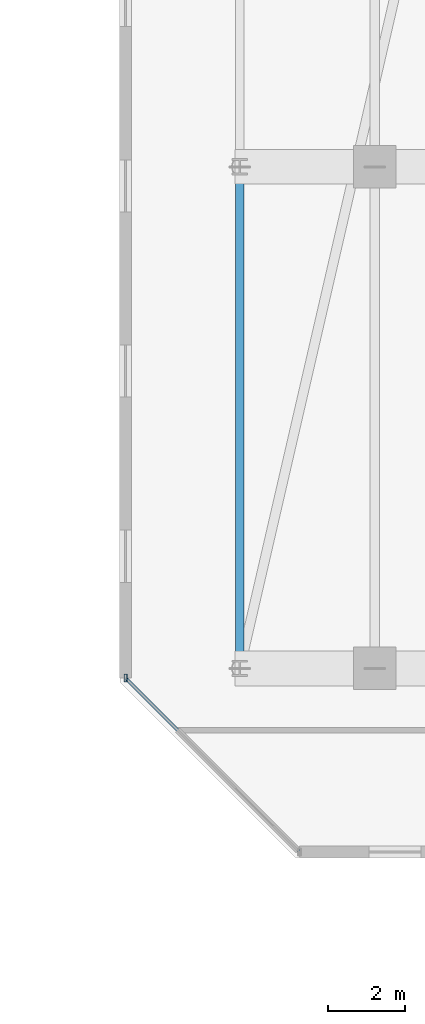
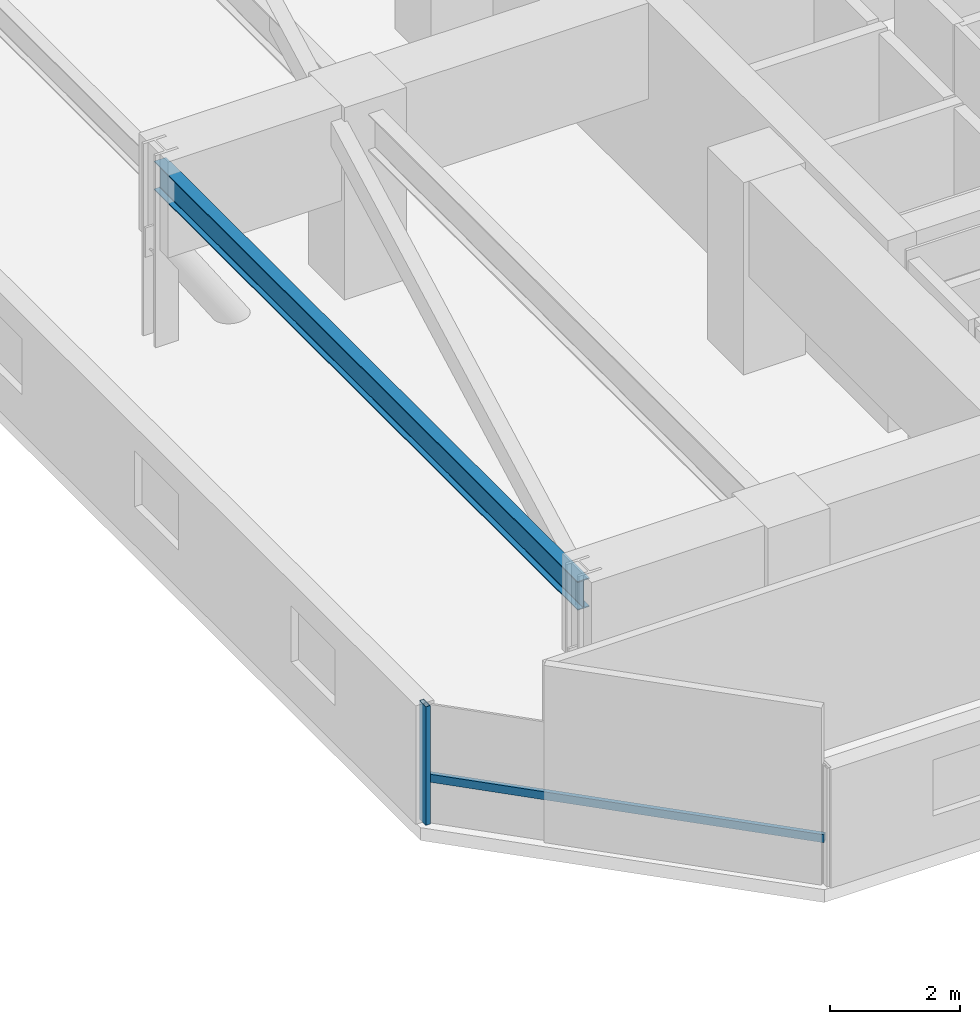
# One storey, part 6 of 36: 2 members, 1 beam, 1 element without a shape of its own.
"""IFC4 building model written with IfcOpenShell, lengths in metres."""

from ifc_helpers import new_model, si_unit, direction, frame, origin, origin_2d, place, context, subcontext, project, spatial, hollow_rectangle, i_section, extrude, material, material_profile, profile_set, type_object, element, aggregate, save


model = new_model("IFC4")

# Units and contexts
model_context = context("Model", 3, precision=1e-05, world=origin(), true_north=direction((0.0, 1.0)))
body_context = subcontext(model_context, "Body", "Model", "MODEL_VIEW")
ifc_project = project(units=[si_unit("LENGTHUNIT", "METRE"), si_unit("AREAUNIT", "SQUARE_METRE"), si_unit("VOLUMEUNIT", "CUBIC_METRE"), si_unit("PLANEANGLEUNIT", "RADIAN"), si_unit("MASSUNIT", "GRAM", prefix="KILO")], contexts=[model_context])

# Site, building, storey
site_placement = place(None, origin())
site = spatial("IfcSite", under=ifc_project, at=site_placement, CompositionType="ELEMENT")
building_placement = place(site_placement, origin())
building = spatial("IfcBuilding", under=site, at=building_placement, Name="Thornwick Lancets Civic Towers", CompositionType="ELEMENT")
storey_placement = place(building_placement, frame((0.0, 0.0, 196.5)))
storey = spatial("IfcBuildingStorey", under=building, at=storey_placement, Name="L52", CompositionType="ELEMENT", Elevation=196.5)

# Beam
ifc_material_1 = material(Name="Steel S355JR", Category="steel")
ifc_material_profile_1 = material_profile(ifc_material_1, i_section(OverallWidth=0.210693359375, OverallDepth=0.53955078125, WebThickness=0.01171875, FlangeThickness=0.018798828125, FilletRadius=0.0126953125, at=origin_2d()), Name="UKB 533x210x109")
ifc_profile_set_1 = profile_set([ifc_material_profile_1], Name="Steel S355JR")
beam_type = type_object("IfcBeamType", Name="BM_EDGE_533_109", PredefinedType="SPANDREL", material=ifc_profile_set_1)
beam_placement = place(storey_placement, frame((67.699951171875, 14.0, 3.0703125), z_axis=(0.0, 1.0, 0.0), x_axis=(-1.0, 0.0, 0.0)))
element("IfcBeam", 1, at=beam_placement, inside=storey, type_object=beam_type, Name="BM-EDGE-L52-B-S2-1", PredefinedType="SPANDREL", context=body_context, shape_type="SweptSolid", body=[
    extrude(i_section(OverallWidth=0.210693359375, OverallDepth=0.53955078125, WebThickness=0.01171875, FlangeThickness=0.018798828125, FilletRadius=0.0126953125, at=origin_2d()), origin(), (0.0, 0.0, 1.0), 13.0),
])

# Curtain wall, members
ifc_material_2 = material(Name="Mid-zone chamfered-corner unitised glass curtain wall", Category="glass")
curtain_wall_type = type_object("IfcCurtainWallType", Name="CW_SYS_04", PredefinedType="NOTDEFINED", material=ifc_material_2)
curtain_wall_placement = place(storey_placement, origin())
curtain_wall = element("IfcCurtainWall", 2, at=curtain_wall_placement, inside=storey, type_object=curtain_wall_type, Name="L52 Curtain Wall CW-L52-B-E7", PredefinedType="NOTDEFINED")
ifc_material_3 = material(Name="Thermally broken bronze aluminium S355", Category="steel")
ifc_material_profile_2 = material_profile(ifc_material_3, hollow_rectangle(XDim=0.080078125, YDim=0.199951171875, WallThickness=0.006103515625, at=origin_2d()), Name="RHS 200x80x6")
ifc_profile_set_2 = profile_set([ifc_material_profile_2], Name="Thermally broken bronze aluminium S355")
member_type_1 = type_object("IfcMemberType", Name="CW_MUL_200", PredefinedType="MULLION", material=ifc_profile_set_2)
member_1_placement = place(storey_placement, frame((64.74169921875, 13.7490234375, 0.0), z_axis=(0.0, 0.0, 1.0), x_axis=(1.0, 0.0, 0.0)))
member_1 = element("IfcMember", 3, at=member_1_placement, type_object=member_type_1, Name="CW-L52-B-E7 Mullion 0", PredefinedType="MULLION", context=body_context, shape_type="SweptSolid", body=[
    extrude(hollow_rectangle(XDim=0.080078125, YDim=0.199951171875, WallThickness=0.006103515625, at=origin_2d()), origin(), (0.0, 0.0, 1.0), 2.219970703125),
])
ifc_material_profile_3 = material_profile(ifc_material_3, hollow_rectangle(XDim=0.074951171875, YDim=0.14990234375, WallThickness=0.0048828125, at=origin_2d()), Name="RHS 150x75x5")
ifc_profile_set_3 = profile_set([ifc_material_profile_3], Name="Thermally broken bronze aluminium S355")
member_type_2 = type_object("IfcMemberType", Name="CW_TRN_150", PredefinedType="USERDEFINED", material=ifc_profile_set_3)
member_2_placement = place(storey_placement, frame((64.755859375, 13.73486328125, 0.85009765625), z_axis=(0.707106781187, -0.707106781187, 0.0), x_axis=(0.707106781187, 0.707106781187, 0.0)))
member_2 = element("IfcMember", 4, at=member_2_placement, type_object=member_type_2, Name="CW-L52-B-E7 Transom 0", ObjectType="TRANSOM", PredefinedType="USERDEFINED", context=body_context, shape_type="SweptSolid", body=[
    extrude(hollow_rectangle(XDim=0.074951171875, YDim=0.14990234375, WallThickness=0.0048828125, at=origin_2d()), origin(), (0.0, 0.0, 1.0), 6.334228515625),
])
aggregate(curtain_wall, [member_1, member_2])

save(model, "model.ifc")
